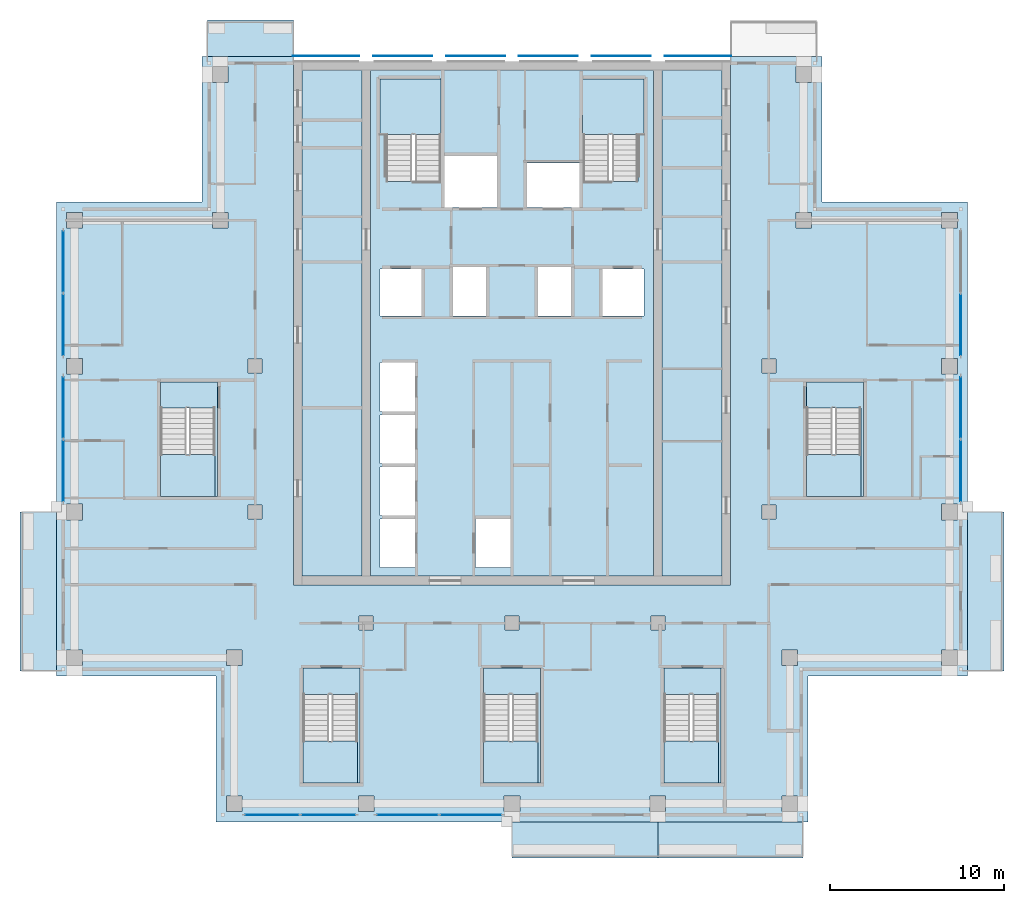
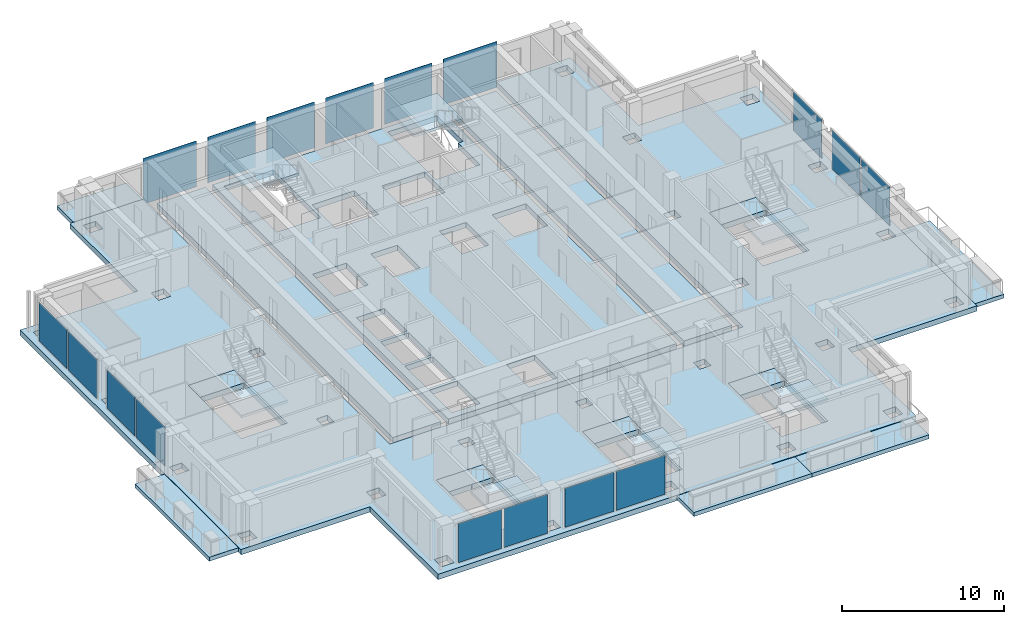
# One storey, part 7 of 17: 21 slabs, 17 plates, 13 elements without a shape of their own.
"""IFC4 building model written with IfcOpenShell, lengths in metres."""

from ifc_helpers import new_model, si_unit, direction, frame, origin, origin_2d, place, context, subcontext, project, spatial, polyline, rectangle, outline, extrude, material, layer, layer_set, type_object, element, aggregate, save


model = new_model("IFC4")

# Units and contexts
model_context = context("Model", 3, precision=1e-05, world=origin(), true_north=direction((0.0, 1.0)))
body_context = subcontext(model_context, "Body", "Model", "MODEL_VIEW")
ifc_project = project(units=[si_unit("LENGTHUNIT", "METRE"), si_unit("AREAUNIT", "SQUARE_METRE"), si_unit("VOLUMEUNIT", "CUBIC_METRE"), si_unit("PLANEANGLEUNIT", "RADIAN"), si_unit("MASSUNIT", "GRAM", prefix="KILO")], contexts=[model_context])

# Site, building, storey
site_placement = place(None, origin())
site = spatial("IfcSite", under=ifc_project, at=site_placement, CompositionType="ELEMENT")
building_placement = place(site_placement, origin())
building = spatial("IfcBuilding", under=site, at=building_placement, Name="Vermilion Ogive Tower", CompositionType="ELEMENT")
storey_placement = place(building_placement, frame((0.0, 0.0, 257.949951171875)))
storey = spatial("IfcBuildingStorey", under=building, at=storey_placement, Name="L68", CompositionType="ELEMENT", Elevation=257.949951171875)

# Slabs
ifc_material_1 = material(Name="Concrete B40", Category="concrete")
ifc_layer_1 = layer(ifc_material_1, 0.300048828125)
ifc_layer_set_1 = layer_set([ifc_layer_1], Name="Balcony slab")
slab_type_1 = type_object("IfcSlabType", Name="Balcony slab", PredefinedType="FLOOR", material=ifc_layer_set_1)
slab_1_placement = place(storey_placement, frame((0.0, 0.0, -0.33984375)))
element("IfcSlab", 1, at=slab_1_placement, inside=storey, type_object=slab_type_1, Name="Balcony slab S03", PredefinedType="FLOOR", context=body_context, shape_type="SweptSolid", body=[
    extrude(outline(polyline([(0.0, -24.140869140625), (8.39990234375, -24.140869140625), (8.39990234375, -22.050048828125), (0.0, -22.050048828125), (0.0, -24.140869140625)])), origin(), (0.0, 0.0, 1.0), 0.2998046875),
])
slab_2_placement = place(storey_placement, frame((0.0, 0.0, -0.33984375)))
element("IfcSlab", 2, at=slab_2_placement, inside=storey, type_object=slab_type_1, Name="Balcony slab S04", PredefinedType="FLOOR", context=body_context, shape_type="SweptSolid", body=[
    extrude(outline(polyline([(8.39990234375, -24.140869140625), (16.75, -24.140869140625), (16.75, -22.050048828125), (8.39990234375, -22.050048828125), (8.39990234375, -24.140869140625)])), origin(), (0.0, 0.0, 1.0), 0.2998046875),
])
slab_3_placement = place(storey_placement, frame((0.0, 0.0, -0.33984375)))
element("IfcSlab", 3, at=slab_3_placement, inside=storey, type_object=slab_type_1, Name="Balcony slab E01", PredefinedType="FLOOR", context=body_context, shape_type="SweptSolid", body=[
    extrude(outline(polyline([(28.3408203125, -13.35009765625), (28.3408203125, -4.199951171875), (26.25, -4.199951171875), (26.25, -13.35009765625), (28.3408203125, -13.35009765625)])), origin(), (0.0, 0.0, 1.0), 0.2998046875),
])
slab_4_placement = place(storey_placement, frame((0.0, 0.0, -0.33984375)))
element("IfcSlab", 4, at=slab_4_placement, inside=storey, type_object=slab_type_1, Name="Balcony slab N201", PredefinedType="FLOOR", context=body_context, shape_type="SweptSolid", body=[
    extrude(outline(polyline([(-12.60009765625, 24.140869140625), (-17.550048828125, 24.140869140625), (-17.550048828125, 22.050048828125), (-12.60009765625, 22.050048828125), (-12.60009765625, 24.140869140625)])), origin(), (0.0, 0.0, 1.0), 0.2998046875),
])
slab_5_placement = place(storey_placement, frame((0.0, 0.0, -0.33984375)))
element("IfcSlab", 5, at=slab_5_placement, inside=storey, type_object=slab_type_1, Name="Balcony slab W03", PredefinedType="FLOOR", context=body_context, shape_type="SweptSolid", body=[
    extrude(outline(polyline([(-28.3408203125, -4.199951171875), (-28.3408203125, -13.35009765625), (-26.25, -13.35009765625), (-26.25, -4.199951171875), (-28.3408203125, -4.199951171875)])), origin(), (0.0, 0.0, 1.0), 0.2998046875),
])

# Curtain wall, plates
ifc_material_2 = material(Name="Low-iron laminated glazing in aluminium frame", Category="aluminium")
curtain_wall_type = type_object("IfcCurtainWallType", Name="Curtain wall CW7", PredefinedType="NOTDEFINED", material=ifc_material_2)
curtain_wall_1_placement = place(storey_placement, origin())
curtain_wall_1 = element("IfcCurtainWall", 6, at=curtain_wall_1_placement, inside=storey, type_object=curtain_wall_type, Name="Glazed skin S1", PredefinedType="NOTDEFINED")
ifc_material_3 = material(Name="Low-iron laminated glazing in aluminium frame", Category="aluminium")
ifc_layer_2 = layer(ifc_material_3, 0.031982421875)
ifc_layer_set_2 = layer_set([ifc_layer_2], Name="CW7 glazing panel 32")
plate_type_1 = type_object("IfcPlateType", Name="CW7 glazing panel 32", PredefinedType="CURTAIN_PANEL", material=ifc_layer_set_2)
plate_1_placement = place(storey_placement, frame((-13.830078125, -21.64990234375, 0.06005859375), z_axis=(0.0, 0.0, 1.0), x_axis=(1.0, 0.0, 0.0)))
plate_1 = element("IfcPlate", 7, at=plate_1_placement, type_object=plate_type_1, Name="CW7-S1 panel 1.1", PredefinedType="CURTAIN_PANEL", context=body_context, shape_type="SweptSolid", body=[
    extrude(rectangle(XDim=3.080078125, YDim=0.031982421875, at=origin_2d()), origin(), (0.0, 0.0, 1.0), 2.929931640625),
])
plate_2_placement = place(storey_placement, frame((-10.570068359375, -21.64990234375, 0.06005859375), z_axis=(0.0, 0.0, 1.0), x_axis=(1.0, 0.0, 0.0)))
plate_2 = element("IfcPlate", 8, at=plate_2_placement, type_object=plate_type_1, Name="CW7-S1 panel 2.1", PredefinedType="CURTAIN_PANEL", context=body_context, shape_type="SweptSolid", body=[
    extrude(rectangle(XDim=3.080078125, YDim=0.031982421875, at=origin_2d()), origin(), (0.0, 0.0, 1.0), 2.929931640625),
])
aggregate(curtain_wall_1, [plate_1, plate_2])

curtain_wall_2_placement = place(storey_placement, origin())
curtain_wall_2 = element("IfcCurtainWall", 9, at=curtain_wall_2_placement, inside=storey, type_object=curtain_wall_type, Name="Glazed skin S2", PredefinedType="NOTDEFINED")
plate_3_placement = place(storey_placement, frame((-6.030029296875, -21.64990234375, 0.06005859375), z_axis=(0.0, 0.0, 1.0), x_axis=(1.0, 0.0, 0.0)))
plate_3 = element("IfcPlate", 10, at=plate_3_placement, type_object=plate_type_1, Name="CW7-S2 panel 1.1", PredefinedType="CURTAIN_PANEL", context=body_context, shape_type="SweptSolid", body=[
    extrude(rectangle(XDim=3.47998046875, YDim=0.031982421875, at=origin_2d()), origin(), (0.0, 0.0, 1.0), 2.929931640625),
])
plate_4_placement = place(storey_placement, frame((-2.3701171875, -21.64990234375, 0.06005859375), z_axis=(0.0, 0.0, 1.0), x_axis=(1.0, 0.0, 0.0)))
plate_4 = element("IfcPlate", 11, at=plate_4_placement, type_object=plate_type_1, Name="CW7-S2 panel 2.1", PredefinedType="CURTAIN_PANEL", context=body_context, shape_type="SweptSolid", body=[
    extrude(rectangle(XDim=3.47998046875, YDim=0.031982421875, at=origin_2d()), origin(), (0.0, 0.0, 1.0), 2.929931640625),
])
aggregate(curtain_wall_2, [plate_3, plate_4])

curtain_wall_3_placement = place(storey_placement, origin())
curtain_wall_3 = element("IfcCurtainWall", 12, at=curtain_wall_3_placement, inside=storey, type_object=curtain_wall_type, Name="Glazed skin E2", PredefinedType="NOTDEFINED")
plate_5_placement = place(storey_placement, frame((25.85009765625, -1.830078125, 0.06005859375), z_axis=(0.0, 0.0, 1.0), x_axis=(0.0, 1.0, 0.0)))
plate_5 = element("IfcPlate", 13, at=plate_5_placement, type_object=plate_type_1, Name="CW7-E2 panel 1.1", PredefinedType="CURTAIN_PANEL", context=body_context, shape_type="SweptSolid", body=[
    extrude(rectangle(XDim=3.47998046875, YDim=0.031982421875, at=origin_2d()), origin(), (0.0, 0.0, 1.0), 2.929931640625),
])
plate_6_placement = place(storey_placement, frame((25.85009765625, 1.830078125, 0.06005859375), z_axis=(0.0, 0.0, 1.0), x_axis=(0.0, 1.0, 0.0)))
plate_6 = element("IfcPlate", 14, at=plate_6_placement, type_object=plate_type_1, Name="CW7-E2 panel 2.1", PredefinedType="CURTAIN_PANEL", context=body_context, shape_type="SweptSolid", body=[
    extrude(rectangle(XDim=3.47998046875, YDim=0.031982421875, at=origin_2d()), origin(), (0.0, 0.0, 1.0), 2.929931640625),
])
aggregate(curtain_wall_3, [plate_5, plate_6])

# Curtain wall, plate
curtain_wall_4_placement = place(storey_placement, origin())
curtain_wall_4 = element("IfcCurtainWall", 15, at=curtain_wall_4_placement, inside=storey, type_object=curtain_wall_type, Name="Glazed skin E3", PredefinedType="NOTDEFINED")
plate_7_placement = place(storey_placement, frame((25.85009765625, 6.570068359375, 0.06005859375), z_axis=(0.0, 0.0, 1.0), x_axis=(0.0, 1.0, 0.0)))
plate_7 = element("IfcPlate", 16, at=plate_7_placement, type_object=plate_type_1, Name="CW7-E3 panel 1.1", PredefinedType="CURTAIN_PANEL", context=body_context, shape_type="SweptSolid", body=[
    extrude(rectangle(XDim=3.47998046875, YDim=0.031982421875, at=origin_2d()), origin(), (0.0, 0.0, 1.0), 2.929931640625),
])
aggregate(curtain_wall_4, [plate_7])

# Curtain wall, plates
curtain_wall_5_placement = place(storey_placement, origin())
curtain_wall_5 = element("IfcCurtainWall", 17, at=curtain_wall_5_placement, inside=storey, type_object=curtain_wall_type, Name="Glazed skin W1", PredefinedType="NOTDEFINED")
plate_8_placement = place(storey_placement, frame((-25.85009765625, 10.22998046875, 0.06005859375), z_axis=(0.0, 0.0, 1.0), x_axis=(0.0, -1.0, 0.0)))
plate_8 = element("IfcPlate", 18, at=plate_8_placement, type_object=plate_type_1, Name="CW7-W1 panel 1.1", PredefinedType="CURTAIN_PANEL", context=body_context, shape_type="SweptSolid", body=[
    extrude(rectangle(XDim=3.47998046875, YDim=0.031982421875, at=origin_2d()), origin(), (0.0, 0.0, 1.0), 2.929931640625),
])
plate_9_placement = place(storey_placement, frame((-25.85009765625, 6.570068359375, 0.06005859375), z_axis=(0.0, 0.0, 1.0), x_axis=(0.0, -1.0, 0.0)))
plate_9 = element("IfcPlate", 19, at=plate_9_placement, type_object=plate_type_1, Name="CW7-W1 panel 2.1", PredefinedType="CURTAIN_PANEL", context=body_context, shape_type="SweptSolid", body=[
    extrude(rectangle(XDim=3.47998046875, YDim=0.031982421875, at=origin_2d()), origin(), (0.0, 0.0, 1.0), 2.929931640625),
])
aggregate(curtain_wall_5, [plate_8, plate_9])

curtain_wall_6_placement = place(storey_placement, origin())
curtain_wall_6 = element("IfcCurtainWall", 20, at=curtain_wall_6_placement, inside=storey, type_object=curtain_wall_type, Name="Glazed skin W2", PredefinedType="NOTDEFINED")
plate_10_placement = place(storey_placement, frame((-25.85009765625, 1.830078125, 0.06005859375), z_axis=(0.0, 0.0, 1.0), x_axis=(0.0, -1.0, 0.0)))
plate_10 = element("IfcPlate", 21, at=plate_10_placement, type_object=plate_type_1, Name="CW7-W2 panel 1.1", PredefinedType="CURTAIN_PANEL", context=body_context, shape_type="SweptSolid", body=[
    extrude(rectangle(XDim=3.47998046875, YDim=0.031982421875, at=origin_2d()), origin(), (0.0, 0.0, 1.0), 2.929931640625),
])
plate_11_placement = place(storey_placement, frame((-25.85009765625, -1.830078125, 0.06005859375), z_axis=(0.0, 0.0, 1.0), x_axis=(0.0, -1.0, 0.0)))
plate_11 = element("IfcPlate", 22, at=plate_11_placement, type_object=plate_type_1, Name="CW7-W2 panel 2.1", PredefinedType="CURTAIN_PANEL", context=body_context, shape_type="SweptSolid", body=[
    extrude(rectangle(XDim=3.47998046875, YDim=0.031982421875, at=origin_2d()), origin(), (0.0, 0.0, 1.0), 2.929931640625),
])
aggregate(curtain_wall_6, [plate_10, plate_11])

# Slabs
ifc_material_4 = material(Name="Concrete B40", Category="concrete")
ifc_layer_3 = layer(ifc_material_4, 0.39990234375)
ifc_layer_set_3 = layer_set([ifc_layer_3], Name="Core floor slab 400 B40")
slab_type_2 = type_object("IfcSlabType", Name="Core floor slab 400 B40", PredefinedType="FLOOR", material=ifc_layer_set_3)
slab_6_placement = place(storey_placement, frame((0.0, 0.0, -0.39990234375)))
element("IfcSlab", 23, at=slab_6_placement, inside=storey, type_object=slab_type_2, Name="L68-CK-FS1", PredefinedType="FLOOR", context=body_context, shape_type="SweptSolid", body=[
    extrude(outline(polyline([(-8.654052734375, 21.24609375), (-8.654052734375, -7.89599609375), (-12.095947265625, -7.89599609375), (-12.095947265625, 21.24609375), (-8.654052734375, 21.24609375)])), origin(), (0.0, 0.0, 1.0), 0.39990234375),
])
slab_7_placement = place(storey_placement, frame((0.0, 0.0, -0.39990234375)))
element("IfcSlab", 24, at=slab_7_placement, inside=storey, type_object=slab_type_2, Name="L68-CK-FS2", PredefinedType="FLOOR", context=body_context, shape_type="SweptSolid", body=[
    extrude(outline(polyline([(-8.14599609375, -7.89599609375), (8.14599609375, -7.89599609375), (8.14599609375, 21.24609375), (-8.14599609375, 21.24609375), (-8.14599609375, -7.89599609375)]), holes=[polyline([(-7.60009765625, -7.39990234375), (-7.60009765625, -4.60009765625), (-5.60009765625, -4.60009765625), (-5.60009765625, -7.39990234375), (-7.60009765625, -7.39990234375)]), polyline([(-7.60009765625, -4.39990234375), (-7.60009765625, -1.60009765625), (-5.60009765625, -1.60009765625), (-5.60009765625, -4.39990234375), (-7.60009765625, -4.39990234375)]), polyline([(-7.60009765625, -1.39990234375), (-7.60009765625, 1.39990234375), (-5.60009765625, 1.39990234375), (-5.60009765625, -1.39990234375), (-7.60009765625, -1.39990234375)]), polyline([(-7.60009765625, 1.60009765625), (-7.60009765625, 4.39990234375), (-5.60009765625, 4.39990234375), (-5.60009765625, 1.60009765625), (-7.60009765625, 1.60009765625)]), polyline([(-7.60009765625, 7.10009765625), (-7.60009765625, 9.800048828125), (-5.199951171875, 9.800048828125), (-5.199951171875, 7.10009765625), (-7.60009765625, 7.10009765625)]), polyline([(-3.39990234375, 9.89990234375), (-1.5, 9.89990234375), (-1.5, 7.10009765625), (-3.39990234375, 7.10009765625), (-3.39990234375, 9.89990234375)]), polyline([(-7.60009765625, 17.550048828125), (-7.60009765625, 20.75), (-4.10009765625, 20.75), (-4.10009765625, 14.85205078125), (-5.60009765625, 14.85205078125), (-5.60009765625, 14.85009765625), (-5.75, 14.85009765625), (-5.75, 14.85205078125), (-7.25, 14.85205078125), (-7.25, 17.550048828125), (-7.60009765625, 17.550048828125)]), polyline([(-2.10009765625, -7.39990234375), (-2.10009765625, -4.60009765625), (-0.10009765625, -4.60009765625), (-0.10009765625, -7.39990234375), (-2.10009765625, -7.39990234375)]), polyline([(5.199951171875, 7.10009765625), (5.199951171875, 9.800048828125), (7.60009765625, 9.800048828125), (7.60009765625, 7.10009765625), (5.199951171875, 7.10009765625)]), polyline([(1.5, 7.10009765625), (1.5, 9.89990234375), (3.39990234375, 9.89990234375), (3.39990234375, 7.10009765625), (1.5, 7.10009765625)]), polyline([(0.85009765625, 13.35009765625), (0.85009765625, 15.89990234375), (3.89990234375, 15.89990234375), (3.89990234375, 13.35009765625), (0.85009765625, 13.35009765625)]), polyline([(-3.89990234375, 16.300048828125), (-0.85009765625, 16.300048828125), (-0.85009765625, 13.35009765625), (-3.89990234375, 13.35009765625), (-3.89990234375, 16.300048828125)]), polyline([(5.75, 14.85009765625), (5.60009765625, 14.85009765625), (5.60009765625, 14.85205078125), (4.10009765625, 14.85205078125), (4.10009765625, 17.550048828125), (4.074951171875, 17.550048828125), (4.074951171875, 20.75), (7.60009765625, 20.75), (7.60009765625, 17.550048828125), (7.25, 17.550048828125), (7.25, 14.85205078125), (5.75, 14.85205078125), (5.75, 14.85009765625)])]), origin(), (0.0, 0.0, 1.0), 0.39990234375),
])
slab_8_placement = place(storey_placement, frame((0.0, 0.0, -0.39990234375)))
element("IfcSlab", 25, at=slab_8_placement, inside=storey, type_object=slab_type_2, Name="L68-CK-FS3", PredefinedType="FLOOR", context=body_context, shape_type="SweptSolid", body=[
    extrude(outline(polyline([(8.654052734375, 21.24609375), (12.095947265625, 21.24609375), (12.095947265625, -7.89599609375), (8.654052734375, -7.89599609375), (8.654052734375, 21.24609375)])), origin(), (0.0, 0.0, 1.0), 0.39990234375),
])
slab_9_placement = place(storey_placement, frame((0.0, 0.0, -0.39990234375)))
element("IfcSlab", 26, at=slab_9_placement, inside=storey, type_object=slab_type_2, Name="L68-SF-ST3-1", PredefinedType="FLOOR", context=body_context, shape_type="SweptSolid", body=[
    extrude(outline(polyline([(-12.050048828125, -13.199951171875), (-12.050048828125, -14.701904296875), (-10.550048828125, -14.701904296875), (-10.550048828125, -14.699951171875), (-10.39990234375, -14.699951171875), (-10.39990234375, -14.701904296875), (-8.89990234375, -14.701904296875), (-8.89990234375, -19.800048828125), (-8.75, -19.800048828125), (-8.75, -13.199951171875), (-12.050048828125, -13.199951171875)])), origin(), (0.0, 0.0, 1.0), 0.39990234375),
])
slab_10_placement = place(storey_placement, frame((0.0, 0.0, -0.39990234375)))
element("IfcSlab", 27, at=slab_10_placement, inside=storey, type_object=slab_type_2, Name="L68-SF-ST4-1", PredefinedType="FLOOR", context=body_context, shape_type="SweptSolid", body=[
    extrude(outline(polyline([(-1.64990234375, -13.199951171875), (-1.64990234375, -14.701904296875), (-0.14990234375, -14.701904296875), (-0.14990234375, -14.699951171875), (0.0, -14.699951171875), (0.0, -14.701904296875), (1.5, -14.701904296875), (1.5, -19.800048828125), (1.64990234375, -19.800048828125), (1.64990234375, -13.199951171875), (-1.64990234375, -13.199951171875)])), origin(), (0.0, 0.0, 1.0), 0.39990234375),
])
slab_11_placement = place(storey_placement, frame((0.0, 0.0, -0.39990234375)))
element("IfcSlab", 28, at=slab_11_placement, inside=storey, type_object=slab_type_2, Name="L68-SF-ST5-1", PredefinedType="FLOOR", context=body_context, shape_type="SweptSolid", body=[
    extrude(outline(polyline([(8.75, -13.199951171875), (8.75, -14.701904296875), (10.25, -14.701904296875), (10.25, -14.699951171875), (10.39990234375, -14.699951171875), (10.39990234375, -14.701904296875), (11.89990234375, -14.701904296875), (11.89990234375, -19.800048828125), (12.050048828125, -19.800048828125), (12.050048828125, -13.199951171875), (8.75, -13.199951171875)])), origin(), (0.0, 0.0, 1.0), 0.39990234375),
])
slab_12_placement = place(storey_placement, frame((0.0, 0.0, -0.39990234375)))
element("IfcSlab", 29, at=slab_12_placement, inside=storey, type_object=slab_type_2, Name="L68-SF-ST8-1", PredefinedType="FLOOR", context=body_context, shape_type="SweptSolid", body=[
    extrude(outline(polyline([(16.949951171875, 3.300048828125), (16.949951171875, 1.798095703125), (18.449951171875, 1.798095703125), (18.449951171875, 1.800048828125), (18.60009765625, 1.800048828125), (18.60009765625, 1.798095703125), (20.10009765625, 1.798095703125), (20.10009765625, -3.300048828125), (20.25, -3.300048828125), (20.25, 3.300048828125), (16.949951171875, 3.300048828125)])), origin(), (0.0, 0.0, 1.0), 0.39990234375),
])
slab_13_placement = place(storey_placement, frame((0.0, 0.0, -0.39990234375)))
element("IfcSlab", 30, at=slab_13_placement, inside=storey, type_object=slab_type_2, Name="L68-SF-ST9-1", PredefinedType="FLOOR", context=body_context, shape_type="SweptSolid", body=[
    extrude(outline(polyline([(-20.25, 3.300048828125), (-20.25, 1.798095703125), (-18.75, 1.798095703125), (-18.75, 1.800048828125), (-18.60009765625, 1.800048828125), (-18.60009765625, 1.798095703125), (-17.10009765625, 1.798095703125), (-17.10009765625, -3.300048828125), (-16.949951171875, -3.300048828125), (-16.949951171875, 3.300048828125), (-20.25, 3.300048828125)])), origin(), (0.0, 0.0, 1.0), 0.39990234375),
])

# Plates
ifc_material_5 = material(Name="Low-iron laminated glazing in aluminium frame", Category="aluminium")
ifc_layer_4 = layer(ifc_material_5, 0.031982421875)
ifc_layer_set_4 = layer_set([ifc_layer_4], Name="Glazed rainscreen sheet 32")
plate_type_2 = type_object("IfcPlateType", Name="Glazed rainscreen sheet 32", PredefinedType="SHEET", material=ifc_layer_set_4)
plate_12_placement = place(storey_placement, frame((-10.7099609375, 22.06591796875, -0.39990234375), z_axis=(0.0, 0.0, 1.0), x_axis=(1.0, 0.0, 0.0)))
element("IfcPlate", 31, at=plate_12_placement, inside=storey, type_object=plate_type_2, Name="Glazed rainscreen sheet N1", PredefinedType="SHEET", context=body_context, shape_type="SweptSolid", body=[
    extrude(rectangle(XDim=3.820068359375, YDim=0.031982421875, at=origin_2d()), origin(), (0.0, 0.0, 1.0), 3.449951171875),
])
for number, where, z_axis, x_axis, name in (
    (32, (-6.300048828125, 22.06591796875, -0.39990234375), (0.0, 0.0, 1.0), (1.0, 0.0, 0.0), "Glazed rainscreen sheet N2"),
    (33, (-2.10009765625, 22.06591796875, -0.39990234375), (0.0, 0.0, 1.0), (1.0, 0.0, 0.0), "Glazed rainscreen sheet N3"),
    (34, (2.10009765625, 22.06591796875, -0.39990234375), (0.0, 0.0, 1.0), (1.0, 0.0, 0.0), "Glazed rainscreen sheet N4"),
    (35, (6.300048828125, 22.06591796875, -0.39990234375), (0.0, 0.0, 1.0), (1.0, 0.0, 0.0), "Glazed rainscreen sheet N5"),
):
    element("IfcPlate", number, at=place(storey_placement, frame(where, z_axis=z_axis, x_axis=x_axis)), inside=storey, type_object=plate_type_2, Name=name, PredefinedType="SHEET", context=body_context, shape_type="SweptSolid", body=[
        extrude(rectangle(XDim=3.39990234375, YDim=0.031982421875, at=origin_2d()), origin(), (0.0, 0.0, 1.0), 3.449951171875),
    ])
plate_13_placement = place(storey_placement, frame((10.7099609375, 22.06591796875, -0.39990234375), z_axis=(0.0, 0.0, 1.0), x_axis=(1.0, 0.0, 0.0)))
element("IfcPlate", 36, at=plate_13_placement, inside=storey, type_object=plate_type_2, Name="Glazed rainscreen sheet N6", PredefinedType="SHEET", context=body_context, shape_type="SweptSolid", body=[
    extrude(rectangle(XDim=3.820068359375, YDim=0.031982421875, at=origin_2d()), origin(), (0.0, 0.0, 1.0), 3.449951171875),
])

# Slab
ifc_material_6 = material(Name="Concrete B45", Category="concrete")
ifc_layer_5 = layer(ifc_material_6, 0.39990234375)
ifc_layer_set_5 = layer_set([ifc_layer_5], Name="Post-tensioned flat plate 400 B45")
slab_type_3 = type_object("IfcSlabType", Name="Post-tensioned flat plate 400 B45", PredefinedType="FLOOR", material=ifc_layer_set_5)
slab_14_placement = place(storey_placement, frame((0.0, 0.0, -0.39990234375)))
element("IfcSlab", 37, at=slab_14_placement, inside=storey, type_object=slab_type_3, Name="L68-SL-1", PredefinedType="FLOOR", context=body_context, shape_type="SweptSolid", body=[
    extrude(outline(polyline([(-17.050048828125, -13.64990234375), (-26.25, -13.64990234375), (-26.25, 13.64990234375), (-17.85009765625, 13.64990234375), (-17.85009765625, 22.050048828125), (-12.60009765625, 22.050048828125), (-12.60009765625, -8.39990234375), (12.60009765625, -8.39990234375), (12.60009765625, 22.050048828125), (17.85009765625, 22.050048828125), (17.85009765625, 13.64990234375), (26.25, 13.64990234375), (26.25, -13.64990234375), (17.050048828125, -13.64990234375), (17.050048828125, -22.050048828125), (-17.050048828125, -22.050048828125), (-17.050048828125, -13.64990234375)]), holes=[polyline([(25.64990234375, -4.64990234375), (25.64990234375, -3.75), (24.75, -3.75), (24.75, -4.64990234375), (25.64990234375, -4.64990234375)]), polyline([(25.64990234375, -13.050048828125), (25.64990234375, -12.14990234375), (24.75, -12.14990234375), (24.75, -13.050048828125), (25.64990234375, -13.050048828125)]), polyline([(24.75, 12.14990234375), (25.64990234375, 12.14990234375), (25.64990234375, 13.050048828125), (24.75, 13.050048828125), (24.75, 12.14990234375)]), polyline([(24.75, 3.75), (25.64990234375, 3.75), (25.64990234375, 4.64990234375), (24.75, 4.64990234375), (24.75, 3.75)]), polyline([(20.25, -3.300048828125), (20.25, 3.300048828125), (16.949951171875, 3.300048828125), (16.949951171875, -3.300048828125), (20.25, -3.300048828125)]), polyline([(17.25, 12.14990234375), (17.25, 13.050048828125), (16.35009765625, 13.050048828125), (16.35009765625, 12.14990234375), (17.25, 12.14990234375)]), polyline([(16.35009765625, 20.550048828125), (17.25, 20.550048828125), (17.25, 21.449951171875), (16.35009765625, 21.449951171875), (16.35009765625, 20.550048828125)]), polyline([(16.449951171875, -13.050048828125), (16.449951171875, -12.14990234375), (15.550048828125, -12.14990234375), (15.550048828125, -13.050048828125), (16.449951171875, -13.050048828125)]), polyline([(16.449951171875, -21.449951171875), (16.449951171875, -20.550048828125), (15.550048828125, -20.550048828125), (15.550048828125, -21.449951171875), (16.449951171875, -21.449951171875)]), polyline([(15.199951171875, 3.800048828125), (15.199951171875, 4.60009765625), (14.39990234375, 4.60009765625), (14.39990234375, 3.800048828125), (15.199951171875, 3.800048828125)]), polyline([(14.39990234375, -4.60009765625), (15.199951171875, -4.60009765625), (15.199951171875, -3.800048828125), (14.39990234375, -3.800048828125), (14.39990234375, -4.60009765625)]), polyline([(12.050048828125, -19.800048828125), (12.050048828125, -13.199951171875), (8.75, -13.199951171875), (8.75, -19.800048828125), (12.050048828125, -19.800048828125)]), polyline([(8.85009765625, -21.449951171875), (8.85009765625, -20.550048828125), (7.949951171875, -20.550048828125), (7.949951171875, -21.449951171875), (8.85009765625, -21.449951171875)]), polyline([(8.0, -11.0), (8.800048828125, -11.0), (8.800048828125, -10.199951171875), (8.0, -10.199951171875), (8.0, -11.0)]), polyline([(1.64990234375, -19.800048828125), (1.64990234375, -13.199951171875), (-1.64990234375, -13.199951171875), (-1.64990234375, -19.800048828125), (1.64990234375, -19.800048828125)]), polyline([(0.449951171875, -21.449951171875), (0.449951171875, -20.550048828125), (-0.449951171875, -20.550048828125), (-0.449951171875, -21.449951171875), (0.449951171875, -21.449951171875)]), polyline([(0.39990234375, -11.0), (0.39990234375, -10.199951171875), (-0.39990234375, -10.199951171875), (-0.39990234375, -11.0), (0.39990234375, -11.0)]), polyline([(-7.949951171875, -21.449951171875), (-7.949951171875, -20.550048828125), (-8.85009765625, -20.550048828125), (-8.85009765625, -21.449951171875), (-7.949951171875, -21.449951171875)]), polyline([(-8.0, -11.0), (-8.0, -10.199951171875), (-8.800048828125, -10.199951171875), (-8.800048828125, -11.0), (-8.0, -11.0)]), polyline([(-8.75, -19.800048828125), (-8.75, -13.199951171875), (-12.050048828125, -13.199951171875), (-12.050048828125, -19.800048828125), (-8.75, -19.800048828125)]), polyline([(-14.39990234375, 3.800048828125), (-14.39990234375, 4.60009765625), (-15.199951171875, 4.60009765625), (-15.199951171875, 3.800048828125), (-14.39990234375, 3.800048828125)]), polyline([(-15.199951171875, -4.60009765625), (-14.39990234375, -4.60009765625), (-14.39990234375, -3.800048828125), (-15.199951171875, -3.800048828125), (-15.199951171875, -4.60009765625)]), polyline([(-15.550048828125, -13.050048828125), (-15.550048828125, -12.14990234375), (-16.449951171875, -12.14990234375), (-16.449951171875, -13.050048828125), (-15.550048828125, -13.050048828125)]), polyline([(-15.550048828125, -21.449951171875), (-15.550048828125, -20.550048828125), (-16.449951171875, -20.550048828125), (-16.449951171875, -21.449951171875), (-15.550048828125, -21.449951171875)]), polyline([(-16.35009765625, 12.14990234375), (-16.35009765625, 13.050048828125), (-17.25, 13.050048828125), (-17.25, 12.14990234375), (-16.35009765625, 12.14990234375)]), polyline([(-17.25, 20.550048828125), (-16.35009765625, 20.550048828125), (-16.35009765625, 21.449951171875), (-17.25, 21.449951171875), (-17.25, 20.550048828125)]), polyline([(-16.949951171875, -3.300048828125), (-16.949951171875, 3.300048828125), (-20.25, 3.300048828125), (-20.25, -3.300048828125), (-16.949951171875, -3.300048828125)]), polyline([(-25.64990234375, 3.75), (-24.75, 3.75), (-24.75, 4.64990234375), (-25.64990234375, 4.64990234375), (-25.64990234375, 3.75)]), polyline([(-24.75, 12.14990234375), (-24.75, 13.050048828125), (-25.64990234375, 13.050048828125), (-25.64990234375, 12.14990234375), (-24.75, 12.14990234375)]), polyline([(-24.75, -4.64990234375), (-24.75, -3.75), (-25.64990234375, -3.75), (-25.64990234375, -4.64990234375), (-24.75, -4.64990234375)]), polyline([(-24.75, -13.050048828125), (-24.75, -12.14990234375), (-25.64990234375, -12.14990234375), (-25.64990234375, -13.050048828125), (-24.75, -13.050048828125)])]), origin(), (0.0, 0.0, 1.0), 0.39990234375),
])

# Stair, slab
ifc_material_7 = material(Name="Concrete B40", Category="concrete")
stair_type = type_object("IfcStairType", Name="Exit stair 1500", PredefinedType="HALF_TURN_STAIR", material=ifc_material_7)
stair_1_placement = place(storey_placement, origin())
stair_1 = element("IfcStair", 38, at=stair_1_placement, inside=storey, type_object=stair_type, Name="L68 Exit Stair ST1", PredefinedType="HALF_TURN_STAIR")
ifc_material_8 = material(Name="Concrete B40", Category="concrete")
ifc_layer_6 = layer(ifc_material_8, 0.199951171875)
ifc_layer_set_6 = layer_set([ifc_layer_6], Name="Stair landing 200")
slab_type_4 = type_object("IfcSlabType", Name="Stair landing 200", PredefinedType="LANDING", material=ifc_layer_set_6)
slab_15_placement = place(storey_placement, frame((0.0, 0.0, 1.525146484375)))
slab_15 = element("IfcSlab", 39, at=slab_15_placement, type_object=slab_type_4, Name="ST1 landing 1", PredefinedType="LANDING", context=body_context, shape_type="SweptSolid", body=[
    extrude(outline(polyline([(-7.60009765625, 17.550048828125), (-7.25, 17.550048828125), (-7.25, 17.548095703125), (-5.75, 17.548095703125), (-5.75, 17.550048828125), (-5.60009765625, 17.550048828125), (-5.60009765625, 17.548095703125), (-4.10009765625, 17.548095703125), (-4.10009765625, 20.75), (-7.60009765625, 20.75), (-7.60009765625, 17.550048828125)])), origin(), (0.0, 0.0, 1.0), 0.199951171875),
])
aggregate(stair_1, [slab_15])

stair_2_placement = place(storey_placement, origin())
stair_2 = element("IfcStair", 40, at=stair_2_placement, inside=storey, type_object=stair_type, Name="L68 Exit Stair ST2", PredefinedType="HALF_TURN_STAIR")
slab_16_placement = place(storey_placement, frame((0.0, 0.0, 1.525146484375)))
slab_16 = element("IfcSlab", 41, at=slab_16_placement, type_object=slab_type_4, Name="ST2 landing 1", PredefinedType="LANDING", context=body_context, shape_type="SweptSolid", body=[
    extrude(outline(polyline([(5.60009765625, 17.550048828125), (5.75, 17.550048828125), (5.75, 17.548095703125), (7.25, 17.548095703125), (7.25, 17.550048828125), (7.60009765625, 17.550048828125), (7.60009765625, 20.75), (4.074951171875, 20.75), (4.074951171875, 17.550048828125), (4.10009765625, 17.550048828125), (4.10009765625, 17.548095703125), (5.60009765625, 17.548095703125), (5.60009765625, 17.550048828125)])), origin(), (0.0, 0.0, 1.0), 0.199951171875),
])
aggregate(stair_2, [slab_16])

stair_3_placement = place(storey_placement, origin())
stair_3 = element("IfcStair", 42, at=stair_3_placement, inside=storey, type_object=stair_type, Name="L68 Exit Stair ST3", PredefinedType="HALF_TURN_STAIR")
slab_17_placement = place(storey_placement, frame((0.0, 0.0, 1.525146484375)))
slab_17 = element("IfcSlab", 43, at=slab_17_placement, type_object=slab_type_4, Name="ST3 landing 1", PredefinedType="LANDING", context=body_context, shape_type="SweptSolid", body=[
    extrude(outline(polyline([(-8.75, -17.39990234375), (-8.89990234375, -17.39990234375), (-8.89990234375, -17.39794921875), (-10.39990234375, -17.39794921875), (-10.39990234375, -17.39990234375), (-10.550048828125, -17.39990234375), (-10.550048828125, -17.39794921875), (-12.050048828125, -17.39794921875), (-12.050048828125, -19.800048828125), (-8.75, -19.800048828125), (-8.75, -17.39990234375)])), origin(), (0.0, 0.0, 1.0), 0.199951171875),
])
aggregate(stair_3, [slab_17])

stair_4_placement = place(storey_placement, origin())
stair_4 = element("IfcStair", 44, at=stair_4_placement, inside=storey, type_object=stair_type, Name="L68 Exit Stair ST4", PredefinedType="HALF_TURN_STAIR")
slab_18_placement = place(storey_placement, frame((0.0, 0.0, 1.525146484375)))
slab_18 = element("IfcSlab", 45, at=slab_18_placement, type_object=slab_type_4, Name="ST4 landing 1", PredefinedType="LANDING", context=body_context, shape_type="SweptSolid", body=[
    extrude(outline(polyline([(1.64990234375, -17.39990234375), (1.5, -17.39990234375), (1.5, -17.39794921875), (0.0, -17.39794921875), (0.0, -17.39990234375), (-0.14990234375, -17.39990234375), (-0.14990234375, -17.39794921875), (-1.64990234375, -17.39794921875), (-1.64990234375, -19.800048828125), (1.64990234375, -19.800048828125), (1.64990234375, -17.39990234375)])), origin(), (0.0, 0.0, 1.0), 0.199951171875),
])
aggregate(stair_4, [slab_18])

stair_5_placement = place(storey_placement, origin())
stair_5 = element("IfcStair", 46, at=stair_5_placement, inside=storey, type_object=stair_type, Name="L68 Exit Stair ST5", PredefinedType="HALF_TURN_STAIR")
slab_19_placement = place(storey_placement, frame((0.0, 0.0, 1.525146484375)))
slab_19 = element("IfcSlab", 47, at=slab_19_placement, type_object=slab_type_4, Name="ST5 landing 1", PredefinedType="LANDING", context=body_context, shape_type="SweptSolid", body=[
    extrude(outline(polyline([(12.0498046875, -17.39990234375), (11.89990234375, -17.39990234375), (11.89990234375, -17.39794921875), (10.39990234375, -17.39794921875), (10.39990234375, -17.39990234375), (10.25, -17.39990234375), (10.25, -17.39794921875), (8.75, -17.39794921875), (8.75, -17.39990234375), (8.75, -17.39990234375), (8.75, -19.7998046875), (12.0498046875, -19.7998046875), (12.0498046875, -17.39990234375)])), origin(), (0.0, 0.0, 1.0), 0.199951171875),
])
aggregate(stair_5, [slab_19])

stair_6_placement = place(storey_placement, origin())
stair_6 = element("IfcStair", 48, at=stair_6_placement, inside=storey, type_object=stair_type, Name="L68 Exit Stair ST8", PredefinedType="HALF_TURN_STAIR")
slab_20_placement = place(storey_placement, frame((0.0, 0.0, 1.525146484375)))
slab_20 = element("IfcSlab", 49, at=slab_20_placement, type_object=slab_type_4, Name="ST8 landing 1", PredefinedType="LANDING", context=body_context, shape_type="SweptSolid", body=[
    extrude(outline(polyline([(20.25, -0.89990234375), (20.10009765625, -0.89990234375), (20.10009765625, -0.89794921875), (18.60009765625, -0.89794921875), (18.60009765625, -0.89990234375), (18.449951171875, -0.89990234375), (18.449951171875, -0.89794921875), (16.949951171875, -0.89794921875), (16.949951171875, -0.902099609375), (16.9501953125, -0.902099609375), (16.9501953125, -3.2998046875), (20.25, -3.2998046875), (20.25, -0.89990234375)])), origin(), (0.0, 0.0, 1.0), 0.199951171875),
])
aggregate(stair_6, [slab_20])

stair_7_placement = place(storey_placement, origin())
stair_7 = element("IfcStair", 50, at=stair_7_placement, inside=storey, type_object=stair_type, Name="L68 Exit Stair ST9", PredefinedType="HALF_TURN_STAIR")
slab_21_placement = place(storey_placement, frame((0.0, 0.0, 1.525146484375)))
slab_21 = element("IfcSlab", 51, at=slab_21_placement, type_object=slab_type_4, Name="ST9 landing 1", PredefinedType="LANDING", context=body_context, shape_type="SweptSolid", body=[
    extrude(outline(polyline([(-16.9501953125, -0.89990234375), (-17.10009765625, -0.89990234375), (-17.10009765625, -0.89794921875), (-18.60009765625, -0.89794921875), (-18.60009765625, -0.89990234375), (-18.75, -0.89990234375), (-18.75, -0.89794921875), (-20.25, -0.89794921875), (-20.25, -0.89990234375), (-20.25, -0.89990234375), (-20.25, -3.2998046875), (-16.9501953125, -3.2998046875), (-16.9501953125, -0.89990234375)])), origin(), (0.0, 0.0, 1.0), 0.199951171875),
])
aggregate(stair_7, [slab_21])

save(model, "model.ifc")
